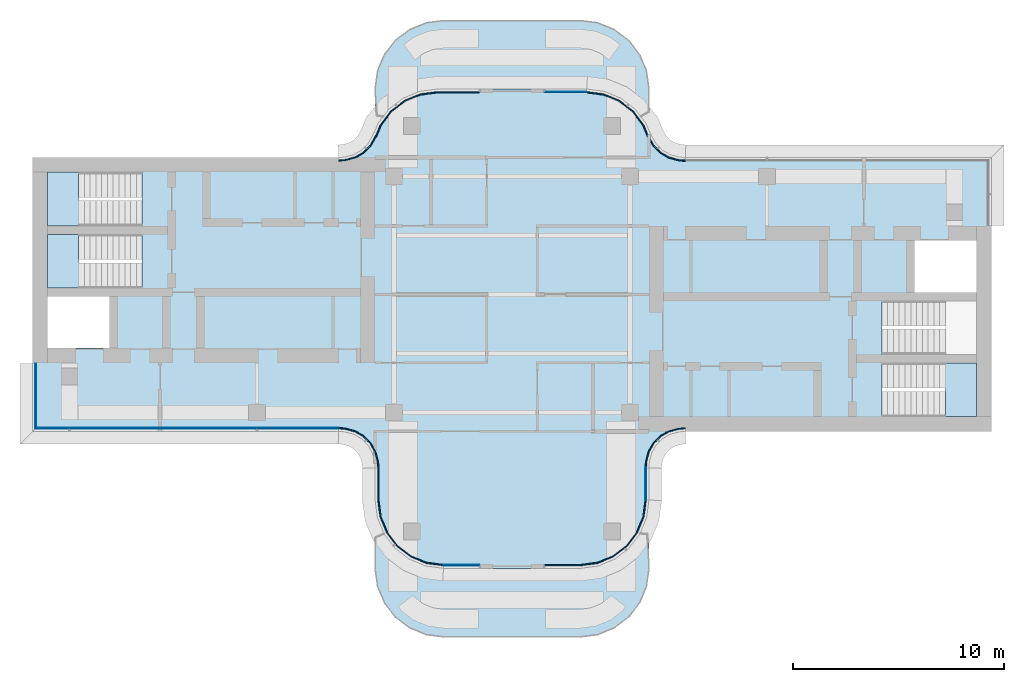
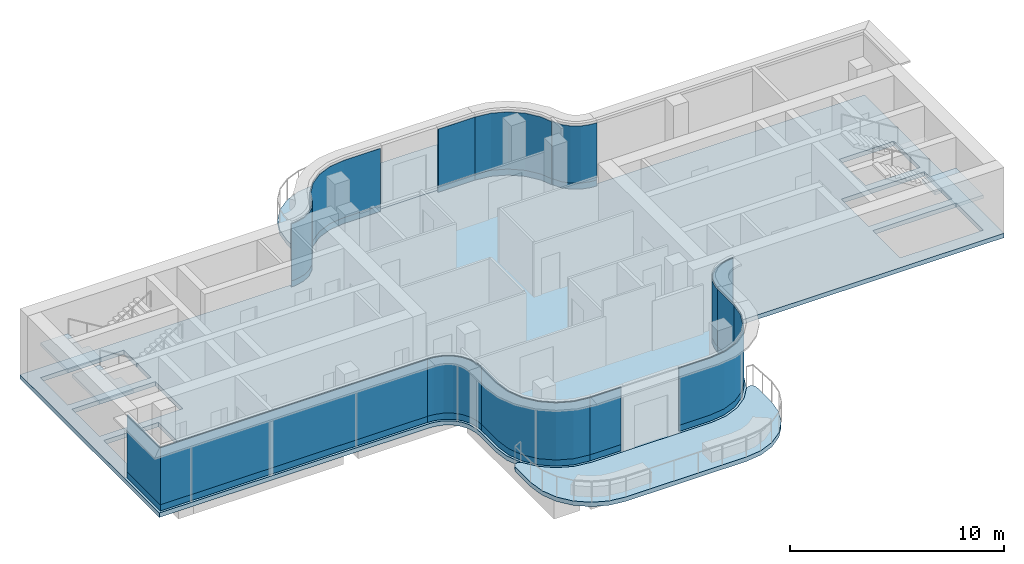
# One storey, part 5 of 9: 22 plates, 6 slabs, 14 elements without a shape of their own.
"""IFC4 building model written with IfcOpenShell, lengths in metres."""

from ifc_helpers import new_model, si_unit, direction, frame, origin, place, context, subcontext, project, spatial, polyline, outline, extrude, source, transform, mapped, material, layer, layer_set, type_object, element, aggregate, save


model = new_model("IFC4")

# Units and contexts
model_context = context("Model", 3, precision=1e-05, world=origin(), true_north=direction((0.0, 1.0)))
body_context = subcontext(model_context, "Body", "Model", "MODEL_VIEW")
ifc_project = project(units=[si_unit("LENGTHUNIT", "METRE"), si_unit("AREAUNIT", "SQUARE_METRE"), si_unit("VOLUMEUNIT", "CUBIC_METRE"), si_unit("PLANEANGLEUNIT", "RADIAN"), si_unit("MASSUNIT", "GRAM", prefix="KILO")], contexts=[model_context])

# Site, building, storey
site_placement = place(None, origin())
site = spatial("IfcSite", under=ifc_project, at=site_placement, CompositionType="ELEMENT")
building_placement = place(site_placement, origin())
building = spatial("IfcBuilding", under=site, at=building_placement, Name="Trellis Farm Tower", CompositionType="ELEMENT")
storey_placement = place(building_placement, frame((0.0, 0.0, 354.10009765625)))
storey = spatial("IfcBuildingStorey", under=building, at=storey_placement, Name="L80", CompositionType="ELEMENT", Elevation=354.10009765625)

# Curtain wall, plate
ifc_material_1 = material(Name="Aluminium and glass curtain wall", Category="aluminium")
ifc_layer_1 = layer(ifc_material_1, 0.176025390625)
ifc_layer_set_1 = layer_set([ifc_layer_1], Name="CROWN LANTERN CURTAIN WALL CW5")
curtain_wall_type = type_object("IfcCurtainWallType", Name="CROWN LANTERN CURTAIN WALL CW5", PredefinedType="NOTDEFINED", material=ifc_layer_set_1)
placement_1 = place(storey_placement, origin())
curtain_wall_1 = element("IfcCurtainWall", 1, at=placement_1, inside=storey, type_object=curtain_wall_type, Name="CW5 001", PredefinedType="NOTDEFINED")
ifc_material_2 = material(Name="Clear insulated glass", Category="glass")
ifc_layer_2 = layer(ifc_material_2, 0.055908203125)
ifc_layer_set_2 = layer_set([ifc_layer_2], Name="CW5 GLASS PANEL 56")
plate_type_1 = type_object("IfcPlateType", Name="CW5 GLASS PANEL 56", PredefinedType="CURTAIN_PANEL", material=ifc_layer_set_2)
placement_2 = place(storey_placement, frame((0.0, 0.0, 0.349853515625)))
plate_1 = element("IfcPlate", 2, at=placement_2, type_object=plate_type_1, Name="PL5 001", PredefinedType="CURTAIN_PANEL", context=body_context, shape_type="SweptSolid", body=[
    extrude(outline(polyline([(-6.3798828125, -8.2275390625), (-6.3798828125, -9.7421875), (-6.2724609375, -10.559814453125), (-5.959716796875, -11.314453125), (-5.46240234375, -11.96240234375), (-4.814453125, -12.459716796875), (-4.059814453125, -12.7724609375), (-3.2421875, -12.8798828125), (-3.238525390625, -12.823974609375), (-4.045166015625, -12.7177734375), (-4.7861328125, -12.410888671875), (-5.422607421875, -11.922607421875), (-5.910888671875, -11.2861328125), (-6.2177734375, -10.545166015625), (-6.323974609375, -9.738525390625), (-6.323974609375, -8.2255859375), (-6.3798828125, -8.2275390625)])), origin(), (0.0, 0.0, 1.0), 3.25),
])

curtain_wall_2 = element("IfcCurtainWall", 3, at=placement_1, inside=storey, type_object=curtain_wall_type, Name="CW5 002", PredefinedType="NOTDEFINED")
plate_2 = element("IfcPlate", 4, at=placement_2, type_object=plate_type_1, Name="PL5 002", PredefinedType="CURTAIN_PANEL", context=body_context, shape_type="SweptSolid", body=[
    extrude(outline(polyline([(-3.2421875, -12.8798828125), (-1.56005859375, -12.8798828125), (-1.56005859375, -12.823974609375), (-3.238525390625, -12.823974609375), (-3.2421875, -12.8798828125)])), origin(), (0.0, 0.0, 1.0), 3.25),
])

curtain_wall_3 = element("IfcCurtainWall", 5, at=placement_1, inside=storey, type_object=curtain_wall_type, Name="CW5 003", PredefinedType="NOTDEFINED")
plate_3 = element("IfcPlate", 6, at=placement_2, type_object=plate_type_1, Name="PL5 003", PredefinedType="CURTAIN_PANEL", context=body_context, shape_type="SweptSolid", body=[
    extrude(outline(polyline([(1.56005859375, -12.8798828125), (3.2421875, -12.8798828125), (4.059814453125, -12.7724609375), (4.814453125, -12.459716796875), (5.46240234375, -11.96240234375), (5.959716796875, -11.314453125), (6.2724609375, -10.559814453125), (6.3798828125, -9.7421875), (6.323974609375, -9.738525390625), (6.2177734375, -10.545166015625), (5.910888671875, -11.2861328125), (5.422607421875, -11.922607421875), (4.7861328125, -12.410888671875), (4.045166015625, -12.7177734375), (3.238525390625, -12.823974609375), (1.56005859375, -12.823974609375), (1.56005859375, -12.8798828125)])), origin(), (0.0, 0.0, 1.0), 3.25),
])

curtain_wall_4 = element("IfcCurtainWall", 7, at=placement_1, inside=storey, type_object=curtain_wall_type, Name="CW5 004", PredefinedType="NOTDEFINED")
plate_4 = element("IfcPlate", 8, at=placement_2, type_object=plate_type_1, Name="PL5 004", PredefinedType="CURTAIN_PANEL", context=body_context, shape_type="SweptSolid", body=[
    extrude(outline(polyline([(6.3798828125, -9.7421875), (6.3798828125, -8.2275390625), (6.323974609375, -8.2255859375), (6.323974609375, -9.738525390625), (6.3798828125, -9.7421875)])), origin(), (0.0, 0.0, 1.0), 3.25),
])

curtain_wall_5 = element("IfcCurtainWall", 9, at=placement_1, inside=storey, type_object=curtain_wall_type, Name="CW5 008", PredefinedType="NOTDEFINED")
plate_5 = element("IfcPlate", 10, at=placement_2, type_object=plate_type_1, Name="PL5 008", PredefinedType="CURTAIN_PANEL", context=body_context, shape_type="SweptSolid", body=[
    extrude(outline(polyline([(8.2275390625, 6.3798828125), (8.0078125, 6.394287109375), (7.89208984375, 6.40966796875), (7.462158203125, 6.52490234375), (7.070556640625, 6.7509765625), (6.7509765625, 7.070556640625), (6.5283203125, 7.4560546875), (6.490478515625, 7.547607421875), (6.4697265625, 7.5390625), (6.251953125, 8.064453125), (5.754638671875, 8.71240234375), (5.106689453125, 9.209716796875), (4.35205078125, 9.5224609375), (3.534423828125, 9.6298828125), (3.53076171875, 9.573974609375), (4.33740234375, 9.4677734375), (5.078369140625, 9.160888671875), (5.71484375, 8.672607421875), (6.203125, 8.0361328125), (6.439453125, 7.4658203125), (6.460205078125, 7.474365234375), (6.47802734375, 7.431396484375), (6.7060546875, 7.0361328125), (7.0361328125, 6.7060546875), (7.440673828125, 6.47265625), (7.881103515625, 6.3544921875), (8.002197265625, 6.338623046875), (8.2255859375, 6.323974609375), (8.2275390625, 6.3798828125)])), origin(), (0.0, 0.0, 1.0), 3.25),
])

curtain_wall_6 = element("IfcCurtainWall", 11, at=placement_1, inside=storey, type_object=curtain_wall_type, Name="CW5 009", PredefinedType="NOTDEFINED")
plate_6 = element("IfcPlate", 12, at=placement_2, type_object=plate_type_1, Name="PL5 009", PredefinedType="CURTAIN_PANEL", context=body_context, shape_type="SweptSolid", body=[
    extrude(outline(polyline([(3.534423828125, 9.6298828125), (1.56005859375, 9.6298828125), (1.56005859375, 9.573974609375), (3.53076171875, 9.573974609375), (3.534423828125, 9.6298828125)])), origin(), (0.0, 0.0, 1.0), 3.25),
])

curtain_wall_7 = element("IfcCurtainWall", 13, at=placement_1, inside=storey, type_object=curtain_wall_type, Name="CW5 010", PredefinedType="NOTDEFINED")
plate_7 = element("IfcPlate", 14, at=placement_2, type_object=plate_type_1, Name="PL5 010", PredefinedType="CURTAIN_PANEL", context=body_context, shape_type="SweptSolid", body=[
    extrude(outline(polyline([(-1.56005859375, 9.6298828125), (-3.534423828125, 9.6298828125), (-4.35205078125, 9.5224609375), (-5.106689453125, 9.209716796875), (-5.754638671875, 8.71240234375), (-6.251953125, 8.064453125), (-6.4697265625, 7.5390625), (-6.490478515625, 7.547607421875), (-6.5283203125, 7.4560546875), (-6.7509765625, 7.070556640625), (-7.070556640625, 6.7509765625), (-7.462158203125, 6.52490234375), (-7.89208984375, 6.40966796875), (-8.0078125, 6.394287109375), (-8.2275390625, 6.3798828125), (-8.2255859375, 6.323974609375), (-8.002197265625, 6.338623046875), (-7.881103515625, 6.3544921875), (-7.440673828125, 6.47265625), (-7.0361328125, 6.7060546875), (-6.7060546875, 7.0361328125), (-6.47802734375, 7.431396484375), (-6.460205078125, 7.474365234375), (-6.439453125, 7.4658203125), (-6.203125, 8.0361328125), (-5.71484375, 8.672607421875), (-5.078369140625, 9.160888671875), (-4.33740234375, 9.4677734375), (-3.53076171875, 9.573974609375), (-1.56005859375, 9.573974609375), (-1.56005859375, 9.6298828125)])), origin(), (0.0, 0.0, 1.0), 3.25),
])

# Plate
ifc_material_3 = material(Name="Sandstone faced insulated panel", Category="masonry")
ifc_layer_3 = layer(ifc_material_3, 0.044921875)
ifc_layer_set_3 = layer_set([ifc_layer_3], Name="CW5 STONE SPANDREL PANEL 45")
plate_type_2 = type_object("IfcPlateType", Name="CW5 STONE SPANDREL PANEL 45", PredefinedType="CURTAIN_PANEL", material=ifc_layer_set_3)
plate_8 = element("IfcPlate", 15, at=placement_1, type_object=plate_type_2, Name="PS5 002", PredefinedType="CURTAIN_PANEL", context=body_context, shape_type="SweptSolid", body=[
    extrude(outline(polyline([(-3.2421875, -12.8798828125), (-1.56005859375, -12.8798828125), (-1.56005859375, -12.8349609375), (-3.2392578125, -12.8349609375), (-3.2421875, -12.8798828125)])), origin(), (0.0, 0.0, 1.0), 0.349853515625),
])

aggregate(curtain_wall_2, [plate_2, plate_8])

plate_9 = element("IfcPlate", 16, at=placement_1, type_object=plate_type_2, Name="PS5 003", PredefinedType="CURTAIN_PANEL", context=body_context, shape_type="SweptSolid", body=[
    extrude(outline(polyline([(1.56005859375, -12.8798828125), (3.2421875, -12.8798828125), (4.059814453125, -12.7724609375), (4.814453125, -12.459716796875), (5.46240234375, -11.96240234375), (5.959716796875, -11.314453125), (6.2724609375, -10.559814453125), (6.3798828125, -9.7421875), (6.3349609375, -9.7392578125), (6.228515625, -10.548095703125), (5.92041015625, -11.291748046875), (5.430419921875, -11.930419921875), (4.791748046875, -12.42041015625), (4.048095703125, -12.728515625), (3.2392578125, -12.8349609375), (1.56005859375, -12.8349609375), (1.56005859375, -12.8798828125)])), origin(), (0.0, 0.0, 1.0), 0.349853515625),
])

aggregate(curtain_wall_3, [plate_3, plate_9])

plate_10 = element("IfcPlate", 17, at=placement_1, type_object=plate_type_2, Name="PS5 009", PredefinedType="CURTAIN_PANEL", context=body_context, shape_type="SweptSolid", body=[
    extrude(outline(polyline([(3.534423828125, 9.6298828125), (1.56005859375, 9.6298828125), (1.56005859375, 9.5849609375), (3.531494140625, 9.5849609375), (3.534423828125, 9.6298828125)])), origin(), (0.0, 0.0, 1.0), 0.349853515625),
])

aggregate(curtain_wall_6, [plate_6, plate_10])

plate_11 = element("IfcPlate", 18, at=placement_1, type_object=plate_type_2, Name="PS5 010", PredefinedType="CURTAIN_PANEL", context=body_context, shape_type="SweptSolid", body=[
    extrude(outline(polyline([(-1.56005859375, 9.6298828125), (-3.534423828125, 9.6298828125), (-4.35205078125, 9.5224609375), (-5.106689453125, 9.209716796875), (-5.754638671875, 8.71240234375), (-6.251953125, 8.064453125), (-6.4697265625, 7.5390625), (-6.490478515625, 7.547607421875), (-6.5283203125, 7.4560546875), (-6.7509765625, 7.070556640625), (-7.070556640625, 6.7509765625), (-7.462158203125, 6.52490234375), (-7.89208984375, 6.40966796875), (-8.0078125, 6.394287109375), (-8.2275390625, 6.3798828125), (-8.22607421875, 6.3349609375), (-8.00341796875, 6.349609375), (-7.88330078125, 6.365478515625), (-7.44482421875, 6.48291015625), (-7.04296875, 6.71484375), (-6.71484375, 7.04296875), (-6.48779296875, 7.436279296875), (-6.466064453125, 7.48876953125), (-6.4453125, 7.480224609375), (-6.212646484375, 8.041748046875), (-5.72265625, 8.680419921875), (-5.083984375, 9.17041015625), (-4.34033203125, 9.478515625), (-3.531494140625, 9.5849609375), (-1.56005859375, 9.5849609375), (-1.56005859375, 9.6298828125)])), origin(), (0.0, 0.0, 1.0), 0.349853515625),
])

aggregate(curtain_wall_7, [plate_7, plate_11])

# Slabs
ifc_material_4 = material(Name="Concrete C40/50", Category="concrete")
ifc_layer_4 = layer(ifc_material_4, 0.25)
ifc_layer_set_4 = layer_set([ifc_layer_4], Name="Terrace slab on composite deck 250")
slab_type_1 = type_object("IfcSlabType", Name="Terrace slab on composite deck 250", PredefinedType="FLOOR", material=ifc_layer_set_4)
placement_3 = place(storey_placement, frame((0.0, 0.0, -0.25)))
element("IfcSlab", 19, at=placement_3, inside=storey, type_object=slab_type_1, Name="Terrace slab", PredefinedType="FLOOR", context=body_context, shape_type="SweptSolid", body=[
    extrude(outline(polyline([(-6.228271484375, -11.294921875), (-6.052978515625, -11.39111328125), (-5.548583984375, -12.048583984375), (-4.875244140625, -12.565185546875), (-4.09130859375, -12.889892578125), (-3.25, -13.00048828125), (3.25, -13.00048828125), (4.09130859375, -12.889892578125), (4.875244140625, -12.565185546875), (5.548583984375, -12.048583984375), (6.052978515625, -11.39111328125), (6.228271484375, -11.294921875), (6.4189453125, -11.359619140625), (6.5, -11.5439453125), (6.5, -12.983642578125), (6.497802734375, -13.01611328125), (6.3935546875, -13.80859375), (6.376708984375, -13.87158203125), (6.0771484375, -14.594482421875), (6.04443359375, -14.651123046875), (5.568115234375, -15.27197265625), (5.52197265625, -15.318115234375), (4.901123046875, -15.79443359375), (4.844482421875, -15.8271484375), (4.12158203125, -16.126708984375), (4.05859375, -16.1435546875), (3.26611328125, -16.247802734375), (3.233642578125, -16.25), (-3.233642578125, -16.25), (-3.26611328125, -16.247802734375), (-4.05859375, -16.1435546875), (-4.12158203125, -16.126708984375), (-4.844482421875, -15.8271484375), (-4.901123046875, -15.79443359375), (-5.52197265625, -15.318115234375), (-5.568115234375, -15.27197265625), (-6.04443359375, -14.651123046875), (-6.0771484375, -14.594482421875), (-6.376708984375, -13.87158203125), (-6.3935546875, -13.80859375), (-6.497802734375, -13.01611328125), (-6.5, -12.983642578125), (-6.5, -11.5439453125), (-6.4189453125, -11.359619140625), (-6.228271484375, -11.294921875)])), origin(), (0.0, 0.0, 1.0), 0.25),
])
element("IfcSlab", 20, at=placement_3, inside=storey, type_object=slab_type_1, Name="Terrace slab", PredefinedType="FLOOR", context=body_context, shape_type="SweptSolid", body=[
    extrude(outline(polyline([(-6.4189453125, 8.490478515625), (-6.5, 8.6748046875), (-6.5, 9.733642578125), (-6.497802734375, 9.76611328125), (-6.3935546875, 10.55859375), (-6.376708984375, 10.62158203125), (-6.0771484375, 11.344482421875), (-6.04443359375, 11.401123046875), (-5.568115234375, 12.02197265625), (-5.52197265625, 12.068115234375), (-4.901123046875, 12.54443359375), (-4.844482421875, 12.5771484375), (-4.12158203125, 12.876708984375), (-4.05859375, 12.8935546875), (-3.26611328125, 12.997802734375), (-3.233642578125, 13.0), (3.233642578125, 13.0), (3.26611328125, 12.997802734375), (4.05859375, 12.8935546875), (4.12158203125, 12.876708984375), (4.844482421875, 12.5771484375), (4.901123046875, 12.54443359375), (5.52197265625, 12.068115234375), (5.568115234375, 12.02197265625), (6.04443359375, 11.401123046875), (6.0771484375, 11.344482421875), (6.376708984375, 10.62158203125), (6.3935546875, 10.55859375), (6.497802734375, 9.76611328125), (6.5, 9.733642578125), (6.5, 8.6748046875), (6.4189453125, 8.490478515625), (6.228271484375, 8.42578125), (6.052978515625, 8.52197265625), (5.8408203125, 8.798583984375), (5.16748046875, 9.315185546875), (4.383544921875, 9.639892578125), (3.542236328125, 9.75048828125), (-3.542236328125, 9.75048828125), (-4.383544921875, 9.639892578125), (-5.16748046875, 9.315185546875), (-5.8408203125, 8.798583984375), (-6.052978515625, 8.52197265625), (-6.228271484375, 8.42578125), (-6.4189453125, 8.490478515625)])), origin(), (0.0, 0.0, 1.0), 0.25),
])
ifc_layer_5 = layer(ifc_material_4, 0.25)
ifc_layer_set_5 = layer_set([ifc_layer_5], Name="Composite deck floor slab 250")
slab_type_2 = type_object("IfcSlabType", Name="Composite deck floor slab 250", PredefinedType="FLOOR", material=ifc_layer_set_5)
shared_shape_1 = source(origin(), body_context, "Body", "SweptSolid", [
    extrude(outline(polyline([(-22.75, 6.5), (-8.2314453125, 6.5), (-8.01953125, 6.513916015625), (-7.91552734375, 6.527587890625), (-7.508544921875, 6.63671875), (-7.144287109375, 6.846923828125), (-6.846923828125, 7.144287109375), (-6.63623046875, 7.50927734375), (-6.555419921875, 7.704345703125), (-6.53466796875, 7.69580078125), (-6.356689453125, 8.125), (-5.84033203125, 8.798095703125), (-5.167236328125, 9.314697265625), (-4.38330078125, 9.639404296875), (-3.542236328125, 9.75), (3.542236328125, 9.75), (4.38330078125, 9.639404296875), (5.167236328125, 9.314697265625), (5.84033203125, 8.798095703125), (6.356689453125, 8.125), (6.53466796875, 7.69580078125), (6.555419921875, 7.704345703125), (6.63623046875, 7.50927734375), (6.846923828125, 7.144287109375), (7.144287109375, 6.846923828125), (7.508544921875, 6.63671875), (7.91552734375, 6.527587890625), (8.01953125, 6.513916015625), (8.2314453125, 6.5), (22.75, 6.5), (22.75, -6.5), (8.2314453125, -6.5), (8.01953125, -6.513916015625), (7.91552734375, -6.527587890625), (7.508544921875, -6.63671875), (7.144287109375, -6.846923828125), (6.846923828125, -7.144287109375), (6.63671875, -7.508544921875), (6.527587890625, -7.91552734375), (6.513916015625, -8.01953125), (6.5, -8.2314453125), (6.5, -9.75), (6.389404296875, -10.59130859375), (6.064697265625, -11.375), (5.548095703125, -12.048095703125), (4.875, -12.564697265625), (4.09130859375, -12.889404296875), (3.25, -13.0), (-3.25, -13.0), (-4.09130859375, -12.889404296875), (-4.875, -12.564697265625), (-5.548095703125, -12.048095703125), (-6.064697265625, -11.375), (-6.389404296875, -10.59130859375), (-6.5, -9.75), (-6.5, -8.2314453125), (-6.513916015625, -8.01953125), (-6.527587890625, -7.91552734375), (-6.63671875, -7.508544921875), (-6.846923828125, -7.144287109375), (-7.144287109375, -6.846923828125), (-7.508544921875, -6.63671875), (-7.91552734375, -6.527587890625), (-8.01953125, -6.513916015625), (-8.2314453125, -6.5), (-22.75, -6.5), (-22.75, 6.5)]), holes=[polyline([(22.050048828125, -5.800048828125), (22.050048828125, -3.25), (17.56005859375, -3.25), (17.56005859375, -4.449951171875), (17.550048828125, -4.449951171875), (17.550048828125, -4.60009765625), (17.56201171875, -4.60009765625), (17.56201171875, -5.800048828125), (22.050048828125, -5.800048828125)]), polyline([(17.56201171875, -2.85009765625), (22.050048828125, -2.85009765625), (22.050048828125, -0.300048828125), (17.56005859375, -0.300048828125), (17.56005859375, -1.5), (17.550048828125, -1.5), (17.550048828125, -1.64990234375), (17.56201171875, -1.64990234375), (17.56201171875, -2.85009765625)]), polyline([(-22.050048828125, -2.550048828125), (-19.10009765625, -2.550048828125), (-19.10009765625, -0.10009765625), (-22.050048828125, -0.10009765625), (-22.050048828125, -2.550048828125)]), polyline([(19.10009765625, 2.550048828125), (19.10009765625, 0.10009765625), (22.050048828125, 0.10009765625), (22.050048828125, 2.550048828125), (19.10009765625, 2.550048828125)]), polyline([(-17.56201171875, 2.85009765625), (-22.050048828125, 2.85009765625), (-22.050048828125, 0.300048828125), (-17.56005859375, 0.300048828125), (-17.56005859375, 1.5), (-17.550048828125, 1.5), (-17.550048828125, 1.64990234375), (-17.56201171875, 1.64990234375), (-17.56201171875, 2.85009765625)]), polyline([(-17.56201171875, 5.800048828125), (-22.050048828125, 5.800048828125), (-22.050048828125, 3.25), (-17.56005859375, 3.25), (-17.56005859375, 4.449951171875), (-17.550048828125, 4.449951171875), (-17.550048828125, 4.60009765625), (-17.56201171875, 4.60009765625), (-17.56201171875, 5.800048828125)])]), origin(), (0.0, 0.0, 1.0), 0.25),
])
element("IfcSlab", 21, at=placement_3, inside=storey, type_object=slab_type_2, Name="Floor slab", PredefinedType="FLOOR", context=body_context, shape_type="MappedRepresentation", body=[
    mapped(shared_shape_1, transform((0.0, 0.0, 0.0))),
])

# Stair, slab
ifc_material_5 = material(Name="Concrete C50/60", Category="concrete")
stair_type = type_object("IfcStairType", Name="CORE EXIT STAIR 24 RISERS 167 MM", PredefinedType="HALF_TURN_STAIR", material=ifc_material_5)
stair_1 = element("IfcStair", 22, at=placement_1, inside=storey, type_object=stair_type, Name="Exit stair E1", PredefinedType="HALF_TURN_STAIR")
ifc_layer_6 = layer(ifc_material_5, 0.179931640625)
ifc_layer_set_6 = layer_set([ifc_layer_6], Name="CORE STAIR LANDING 180 CONCRETE C50/60")
slab_type_3 = type_object("IfcSlabType", Name="CORE STAIR LANDING 180 CONCRETE C50/60", PredefinedType="LANDING", material=ifc_layer_set_6)
shared_shape_2 = source(origin(), body_context, "Body", "SweptSolid", [
    extrude(outline(polyline([(20.56494140625, -5.800048828125), (20.56494140625, -4.60009765625), (20.574951171875, -4.60009765625), (20.574951171875, -4.449951171875), (20.21240234375, -4.449951171875), (20.21240234375, -3.25), (20.574951171875, -3.25), (22.050048828125, -3.25), (22.050048828125, -5.800048828125), (20.574951171875, -5.800048828125), (20.56494140625, -5.800048828125)])), origin(), (0.0, 0.0, 1.0), 0.18017578125),
])
placement_4 = place(storey_placement, frame((0.0, 0.0, 1.81982421875)))
slab_4 = element("IfcSlab", 23, at=placement_4, type_object=slab_type_3, Name="STE1 landing 1", PredefinedType="LANDING", context=body_context, shape_type="MappedRepresentation", body=[
    mapped(shared_shape_2, transform((0.0, 0.0, 0.0))),
])
aggregate(stair_1, [slab_4])

stair_2 = element("IfcStair", 24, at=placement_1, inside=storey, type_object=stair_type, Name="Exit stair W1", PredefinedType="HALF_TURN_STAIR")
shared_shape_3 = source(origin(), body_context, "Body", "SweptSolid", [
    extrude(outline(polyline([(-20.21240234375, 4.449951171875), (-20.21240234375, 3.25), (-20.574951171875, 3.25), (-22.050048828125, 3.25), (-22.050048828125, 5.800048828125), (-20.574951171875, 5.800048828125), (-20.56494140625, 5.800048828125), (-20.56494140625, 4.60009765625), (-20.574951171875, 4.60009765625), (-20.574951171875, 4.449951171875), (-20.21240234375, 4.449951171875)])), origin(), (0.0, 0.0, 1.0), 0.18017578125),
])
slab_5 = element("IfcSlab", 25, at=placement_4, type_object=slab_type_3, Name="STW1 landing 1", PredefinedType="LANDING", context=body_context, shape_type="MappedRepresentation", body=[
    mapped(shared_shape_3, transform((0.0, 0.0, 0.0))),
])
aggregate(stair_2, [slab_5])

stair_3 = element("IfcStair", 26, at=placement_1, inside=storey, type_object=stair_type, Name="Exit stair W2", PredefinedType="HALF_TURN_STAIR")
shared_shape_4 = source(origin(), body_context, "Body", "SweptSolid", [
    extrude(outline(polyline([(-20.21240234375, 1.5), (-20.21240234375, 0.300048828125), (-20.574951171875, 0.300048828125), (-22.050048828125, 0.300048828125), (-22.050048828125, 2.85009765625), (-20.574951171875, 2.85009765625), (-20.56494140625, 2.85009765625), (-20.56494140625, 1.64990234375), (-20.574951171875, 1.64990234375), (-20.574951171875, 1.5), (-20.21240234375, 1.5)])), origin(), (0.0, 0.0, 1.0), 0.18017578125),
])
slab_6 = element("IfcSlab", 27, at=placement_4, type_object=slab_type_3, Name="STW2 landing 1", PredefinedType="LANDING", context=body_context, shape_type="MappedRepresentation", body=[
    mapped(shared_shape_4, transform((0.0, 0.0, 0.0))),
])
aggregate(stair_3, [slab_6])

# Curtain wall, plates
curtain_wall_8 = element("IfcCurtainWall", 28, at=placement_1, inside=storey, type_object=curtain_wall_type, Name="CW5 005", PredefinedType="NOTDEFINED")
shared_shape_5 = source(origin(), body_context, "Body", "SweptSolid", [
    extrude(outline(polyline([(6.3798828125, -8.2275390625), (6.394287109375, -8.0078125), (6.40966796875, -7.89208984375), (6.52490234375, -7.462158203125), (6.7509765625, -7.070556640625), (7.070556640625, -6.7509765625), (7.462158203125, -6.52490234375), (7.89208984375, -6.40966796875), (8.0078125, -6.394287109375), (8.2275390625, -6.3798828125), (8.2255859375, -6.323974609375), (8.002197265625, -6.338623046875), (7.881103515625, -6.3544921875), (7.440673828125, -6.47265625), (7.0361328125, -6.7060546875), (6.7060546875, -7.0361328125), (6.47265625, -7.440673828125), (6.3544921875, -7.881103515625), (6.338623046875, -8.002197265625), (6.323974609375, -8.2255859375), (6.3798828125, -8.2275390625)])), origin(), (0.0, 0.0, 1.0), 3.25),
])
plate_12 = element("IfcPlate", 29, at=placement_2, type_object=plate_type_1, Name="PL5 005", PredefinedType="CURTAIN_PANEL", context=body_context, shape_type="MappedRepresentation", body=[
    mapped(shared_shape_5, transform((0.0, 0.0, 0.0))),
])
shared_shape_6 = source(origin(), body_context, "Body", "SweptSolid", [
    extrude(outline(polyline([(6.3798828125, -8.2275390625), (6.394287109375, -8.0078125), (6.40966796875, -7.89208984375), (6.52490234375, -7.462158203125), (6.7509765625, -7.070556640625), (7.070556640625, -6.7509765625), (7.462158203125, -6.52490234375), (7.89208984375, -6.40966796875), (8.0078125, -6.394287109375), (8.2275390625, -6.3798828125), (8.22607421875, -6.3349609375), (8.00341796875, -6.349609375), (7.88330078125, -6.365478515625), (7.44482421875, -6.48291015625), (7.04296875, -6.71484375), (6.71484375, -7.04296875), (6.48291015625, -7.44482421875), (6.365478515625, -7.88330078125), (6.349609375, -8.00341796875), (6.3349609375, -8.22607421875), (6.3798828125, -8.2275390625)])), origin(), (0.0, 0.0, 1.0), 0.349853515625),
])
plate_13 = element("IfcPlate", 30, at=placement_1, type_object=plate_type_2, Name="PS5 005", PredefinedType="CURTAIN_PANEL", context=body_context, shape_type="MappedRepresentation", body=[
    mapped(shared_shape_6, transform((0.0, 0.0, 0.0))),
])
aggregate(curtain_wall_8, [plate_12, plate_13])

curtain_wall_9 = element("IfcCurtainWall", 31, at=placement_1, inside=storey, type_object=curtain_wall_type, Name="CW5 012", PredefinedType="NOTDEFINED")
shared_shape_7 = source(origin(), body_context, "Body", "SweptSolid", [
    extrude(outline(polyline([(-22.6298828125, -6.3798828125), (-8.2275390625, -6.3798828125), (-8.2255859375, -6.323974609375), (-22.573974609375, -6.323974609375), (-22.6298828125, -6.3798828125)])), origin(), (0.0, 0.0, 1.0), 3.25),
])
plate_14 = element("IfcPlate", 32, at=placement_2, type_object=plate_type_1, Name="PL5 012", PredefinedType="CURTAIN_PANEL", context=body_context, shape_type="MappedRepresentation", body=[
    mapped(shared_shape_7, transform((0.0, 0.0, 0.0))),
])
shared_shape_8 = source(origin(), body_context, "Body", "SweptSolid", [
    extrude(outline(polyline([(-22.6298828125, -6.3798828125), (-8.2275390625, -6.3798828125), (-8.22607421875, -6.3349609375), (-22.5849609375, -6.3349609375), (-22.6298828125, -6.3798828125)])), origin(), (0.0, 0.0, 1.0), 0.349853515625),
])
plate_15 = element("IfcPlate", 33, at=placement_1, type_object=plate_type_2, Name="PS5 012", PredefinedType="CURTAIN_PANEL", context=body_context, shape_type="MappedRepresentation", body=[
    mapped(shared_shape_8, transform((0.0, 0.0, 0.0))),
])
aggregate(curtain_wall_9, [plate_14, plate_15])

curtain_wall_10 = element("IfcCurtainWall", 34, at=placement_1, inside=storey, type_object=curtain_wall_type, Name="CW5 013", PredefinedType="NOTDEFINED")
shared_shape_9 = source(origin(), body_context, "Body", "SweptSolid", [
    extrude(outline(polyline([(-8.2275390625, -6.3798828125), (-8.0078125, -6.394287109375), (-7.89208984375, -6.40966796875), (-7.462158203125, -6.52490234375), (-7.070556640625, -6.7509765625), (-6.7509765625, -7.070556640625), (-6.52490234375, -7.462158203125), (-6.40966796875, -7.89208984375), (-6.394287109375, -8.0078125), (-6.3798828125, -8.2275390625), (-6.323974609375, -8.2255859375), (-6.338623046875, -8.002197265625), (-6.3544921875, -7.881103515625), (-6.47265625, -7.440673828125), (-6.7060546875, -7.0361328125), (-7.0361328125, -6.7060546875), (-7.440673828125, -6.47265625), (-7.881103515625, -6.3544921875), (-8.002197265625, -6.338623046875), (-8.2255859375, -6.323974609375), (-8.2275390625, -6.3798828125)])), origin(), (0.0, 0.0, 1.0), 3.25),
])
plate_16 = element("IfcPlate", 35, at=placement_2, type_object=plate_type_1, Name="PL5 013", PredefinedType="CURTAIN_PANEL", context=body_context, shape_type="MappedRepresentation", body=[
    mapped(shared_shape_9, transform((0.0, 0.0, 0.0))),
])
shared_shape_10 = source(origin(), body_context, "Body", "SweptSolid", [
    extrude(outline(polyline([(-8.2275390625, -6.3798828125), (-8.0078125, -6.394287109375), (-7.89208984375, -6.40966796875), (-7.462158203125, -6.52490234375), (-7.070556640625, -6.7509765625), (-6.7509765625, -7.070556640625), (-6.52490234375, -7.462158203125), (-6.40966796875, -7.89208984375), (-6.394287109375, -8.0078125), (-6.3798828125, -8.2275390625), (-6.3349609375, -8.22607421875), (-6.349609375, -8.00341796875), (-6.365478515625, -7.88330078125), (-6.48291015625, -7.44482421875), (-6.71484375, -7.04296875), (-7.04296875, -6.71484375), (-7.44482421875, -6.48291015625), (-7.88330078125, -6.365478515625), (-8.00341796875, -6.349609375), (-8.22607421875, -6.3349609375), (-8.2275390625, -6.3798828125)])), origin(), (0.0, 0.0, 1.0), 0.349853515625),
])
plate_17 = element("IfcPlate", 36, at=placement_1, type_object=plate_type_2, Name="PS5 013", PredefinedType="CURTAIN_PANEL", context=body_context, shape_type="MappedRepresentation", body=[
    mapped(shared_shape_10, transform((0.0, 0.0, 0.0))),
])
aggregate(curtain_wall_10, [plate_16, plate_17])

curtain_wall_11 = element("IfcCurtainWall", 37, at=placement_1, inside=storey, type_object=curtain_wall_type, Name="CW5 011", PredefinedType="NOTDEFINED")
shared_shape_11 = source(origin(), body_context, "Body", "SweptSolid", [
    extrude(outline(polyline([(-22.6298828125, -3.280029296875), (-22.6298828125, -6.3798828125), (-22.573974609375, -6.323974609375), (-22.573974609375, -3.280029296875), (-22.6298828125, -3.280029296875)])), origin(), (0.0, 0.0, 1.0), 3.25),
])
plate_18 = element("IfcPlate", 38, at=placement_2, type_object=plate_type_1, Name="PL5 011", PredefinedType="CURTAIN_PANEL", context=body_context, shape_type="MappedRepresentation", body=[
    mapped(shared_shape_11, transform((0.0, 0.0, 0.0))),
])
shared_shape_12 = source(origin(), body_context, "Body", "SweptSolid", [
    extrude(outline(polyline([(-22.6298828125, -3.280029296875), (-22.6298828125, -6.3798828125), (-22.5849609375, -6.3349609375), (-22.5849609375, -3.280029296875), (-22.6298828125, -3.280029296875)])), origin(), (0.0, 0.0, 1.0), 0.349853515625),
])
plate_19 = element("IfcPlate", 39, at=placement_1, type_object=plate_type_2, Name="PS5 011", PredefinedType="CURTAIN_PANEL", context=body_context, shape_type="MappedRepresentation", body=[
    mapped(shared_shape_12, transform((0.0, 0.0, 0.0))),
])
aggregate(curtain_wall_11, [plate_18, plate_19])

# Plate
shared_shape_13 = source(origin(), body_context, "Body", "SweptSolid", [
    extrude(outline(polyline([(-6.3798828125, -8.2275390625), (-6.3798828125, -9.7421875), (-6.2724609375, -10.559814453125), (-5.959716796875, -11.314453125), (-5.46240234375, -11.96240234375), (-4.814453125, -12.459716796875), (-4.059814453125, -12.7724609375), (-3.2421875, -12.8798828125), (-3.2392578125, -12.8349609375), (-4.048095703125, -12.728515625), (-4.791748046875, -12.42041015625), (-5.430419921875, -11.930419921875), (-5.92041015625, -11.291748046875), (-6.228515625, -10.548095703125), (-6.3349609375, -9.7392578125), (-6.3349609375, -8.22607421875), (-6.3798828125, -8.2275390625)])), origin(), (0.0, 0.0, 1.0), 0.349853515625),
])
plate_20 = element("IfcPlate", 40, at=placement_1, type_object=plate_type_2, Name="PS5 001", PredefinedType="CURTAIN_PANEL", context=body_context, shape_type="MappedRepresentation", body=[
    mapped(shared_shape_13, transform((0.0, 0.0, 0.0))),
])

aggregate(curtain_wall_1, [plate_1, plate_20])

shared_shape_14 = source(origin(), body_context, "Body", "SweptSolid", [
    extrude(outline(polyline([(6.3798828125, -9.7421875), (6.3798828125, -8.2275390625), (6.3349609375, -8.22607421875), (6.3349609375, -9.7392578125), (6.3798828125, -9.7421875)])), origin(), (0.0, 0.0, 1.0), 0.349853515625),
])
plate_21 = element("IfcPlate", 41, at=placement_1, type_object=plate_type_2, Name="PS5 004", PredefinedType="CURTAIN_PANEL", context=body_context, shape_type="MappedRepresentation", body=[
    mapped(shared_shape_14, transform((0.0, 0.0, 0.0))),
])

aggregate(curtain_wall_4, [plate_4, plate_21])

shared_shape_15 = source(origin(), body_context, "Body", "SweptSolid", [
    extrude(outline(polyline([(8.2275390625, 6.3798828125), (8.0078125, 6.394287109375), (7.89208984375, 6.40966796875), (7.462158203125, 6.52490234375), (7.070556640625, 6.7509765625), (6.7509765625, 7.070556640625), (6.5283203125, 7.4560546875), (6.490478515625, 7.547607421875), (6.4697265625, 7.5390625), (6.251953125, 8.064453125), (5.754638671875, 8.71240234375), (5.106689453125, 9.209716796875), (4.35205078125, 9.5224609375), (3.534423828125, 9.6298828125), (3.531494140625, 9.5849609375), (4.34033203125, 9.478515625), (5.083984375, 9.17041015625), (5.72265625, 8.680419921875), (6.212646484375, 8.041748046875), (6.4453125, 7.480224609375), (6.466064453125, 7.48876953125), (6.48779296875, 7.436279296875), (6.71484375, 7.04296875), (7.04296875, 6.71484375), (7.44482421875, 6.48291015625), (7.88330078125, 6.365478515625), (8.00341796875, 6.349609375), (8.22607421875, 6.3349609375), (8.2275390625, 6.3798828125)])), origin(), (0.0, 0.0, 1.0), 0.349853515625),
])
plate_22 = element("IfcPlate", 42, at=placement_1, type_object=plate_type_2, Name="PS5 008", PredefinedType="CURTAIN_PANEL", context=body_context, shape_type="MappedRepresentation", body=[
    mapped(shared_shape_15, transform((0.0, 0.0, 0.0))),
])

aggregate(curtain_wall_5, [plate_5, plate_22])

save(model, "model.ifc")
